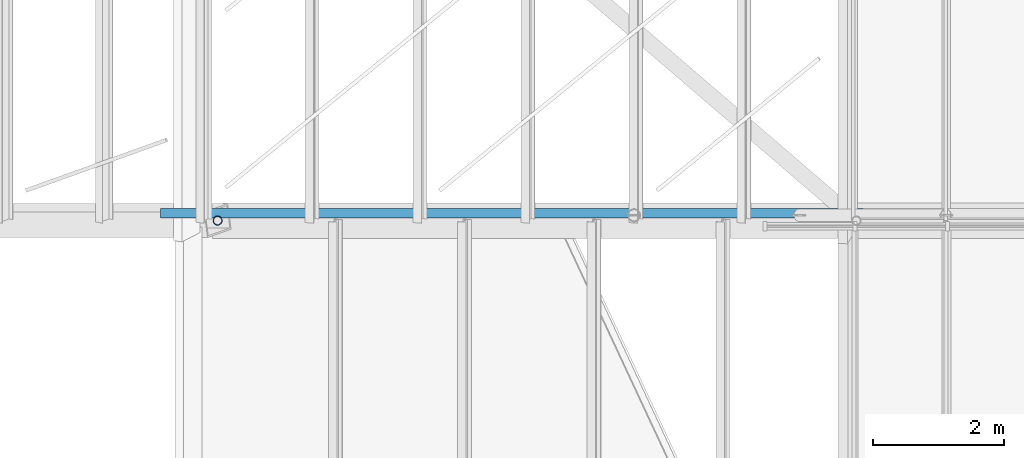
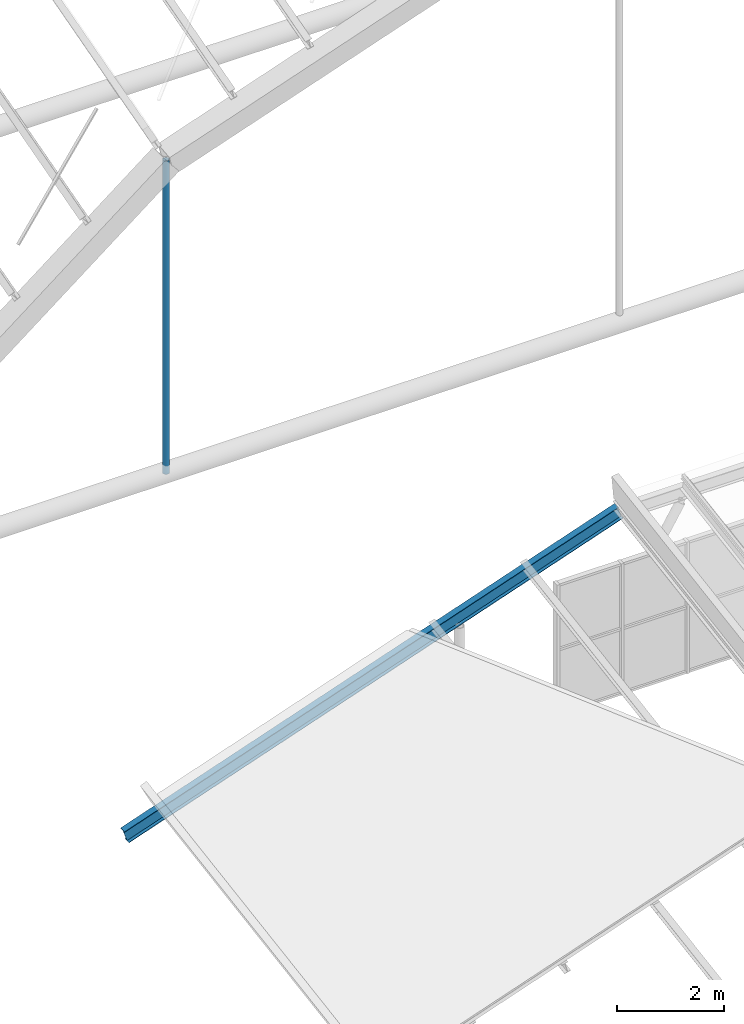
# One storey, part 15 of 126: 1 beam, 1 member.
"""IFC4 building model written with IfcOpenShell, lengths in metres."""

import ifcopenshell
import ifcopenshell.guid

model = None  # the IFC model being written
_history = None  # IfcOwnerHistory: only IFC2X3 demands one
_inside = {}  # id of a spatial element -> (the spatial element, [elements in it])
_under = {}  # id of a project, library or spatial element -> (it, [spatial elements below it])
_declared = {}  # id of a project -> (the project, [libraries it declares])
_typed = {}  # id of a type object -> (the type object, [elements of that type])
_made_of = {}  # id of a material, layer set ... -> (it, [elements and type objects made of it])


def new_model(schema):
    """Start an empty IFC model of exactly this schema.

    Asked for "IFC4X3", IfcOpenShell would pick the latest addendum, in which some entities
    have other attributes; the version numbers below select the first issue.
    IFC2X3 requires an IfcOwnerHistory on every rooted entity: one is made here for all.
    """
    global model, _history
    if schema == "IFC4X3":
        model = ifcopenshell.file(schema_version=(4, 3, 0, 0))
    else:
        model = ifcopenshell.file(schema=schema)
    _inside.clear()
    _under.clear()
    _declared.clear()
    _typed.clear()
    _made_of.clear()
    _history = None
    if model.schema == "IFC2X3":
        org = make("IfcOrganization", Name="unknown")
        user = make(
            "IfcPersonAndOrganization",
            ThePerson=make("IfcPerson", FamilyName="unknown"),
            TheOrganization=org,
        )
        app = make(
            "IfcApplication",
            ApplicationDeveloper=org,
            Version="unknown",
            ApplicationFullName="unknown",
            ApplicationIdentifier="unknown",
        )
        _history = make(
            "IfcOwnerHistory",
            OwningUser=user,
            OwningApplication=app,
            ChangeAction="ADDED",
            CreationDate=0,
        )
    return model


def make(cls, **values):
    """One entity of the class cls with the attributes given. An attribute that is None is left unset."""
    return model.create_entity(
        cls, **{name: value for name, value in values.items() if value is not None}
    )


def rooted(cls, **values):
    """An entity with a GlobalId (a new one), such as an element, a storey or a relation."""
    return make(cls, GlobalId=ifcopenshell.guid.new(), OwnerHistory=_history, **values)


def si_unit(unit_type, name, prefix=None):
    """IfcSIUnit, for example si_unit("LENGTHUNIT", "METRE", prefix="MILLI")."""
    return make("IfcSIUnit", UnitType=unit_type, Prefix=prefix, Name=name)


def assignment(units):
    """IfcUnitAssignment: the units of a project."""
    return None if units is None else make("IfcUnitAssignment", Units=units)


def point(xyz):
    """IfcCartesianPoint."""
    return None if xyz is None else make("IfcCartesianPoint", Coordinates=xyz)


def direction(xyz):
    """IfcDirection."""
    return None if xyz is None else make("IfcDirection", DirectionRatios=xyz)


def frame(location, z_axis=None, x_axis=None):
    """IfcAxis2Placement3D, a coordinate frame: its origin and axes. An axis left out is left unset."""
    return make(
        "IfcAxis2Placement3D",
        Location=point(location),
        Axis=direction(z_axis),
        RefDirection=direction(x_axis),
    )


def frame_2d(location, x_axis=None):
    """IfcAxis2Placement2D, a coordinate frame in the plane: its origin and x axis."""
    return make(
        "IfcAxis2Placement2D", Location=point(location), RefDirection=direction(x_axis)
    )


def origin():
    """The frame at (0, 0, 0) with its axes left unset."""
    return frame((0.0, 0.0, 0.0))


def origin_2d():
    """The frame at (0, 0) in the plane with its x axis left unset."""
    return frame_2d((0.0, 0.0))


def place(relative_to, where):
    """IfcLocalPlacement: puts the frame where relative to a parent placement (None: the world)."""
    return make(
        "IfcLocalPlacement", PlacementRelTo=relative_to, RelativePlacement=where
    )


def context(
    kind, dimensions, precision=None, world=None, true_north=None, identifier=None
):
    """IfcGeometricRepresentationContext, for example the 3D "Model" context."""
    return make(
        "IfcGeometricRepresentationContext",
        ContextIdentifier=identifier,
        ContextType=kind,
        CoordinateSpaceDimension=dimensions,
        Precision=precision,
        WorldCoordinateSystem=world,
        TrueNorth=true_north,
    )


def subcontext(parent, identifier, kind, view, scale=None):
    """IfcGeometricRepresentationSubContext, for example "Body" below "Model"."""
    return make(
        "IfcGeometricRepresentationSubContext",
        ContextIdentifier=identifier,
        ContextType=kind,
        ParentContext=parent,
        TargetScale=scale,
        TargetView=view,
    )


def project(units=None, contexts=None):
    """IfcProject with its units and contexts."""
    return rooted(
        "IfcProject",
        Name="project",
        RepresentationContexts=contexts,
        UnitsInContext=assignment(units),
    )


def spatial(cls, under=None, at=None, **own):
    """A site, building, storey or space (cls), placed at a placement, below another one or the project."""
    s = rooted(cls, ObjectPlacement=at, **own)
    if under is not None:
        _under.setdefault(under.id(), (under, []))[1].append(s)
    return s


def profile(cls, at=None, kind="AREA", **sizes):
    """A parametric profile (cls). Its sizes go by their IFC names, for example OverallWidth=200.0."""
    return make(cls, ProfileType=kind, Position=at, **sizes)


def hollow_circle(**sizes):
    """IfcCircleHollowProfileDef."""
    return profile("IfcCircleHollowProfileDef", **sizes)


def i_section(**sizes):
    """IfcIShapeProfileDef."""
    return profile("IfcIShapeProfileDef", **sizes)


def extrude(swept, where, along, depth):
    """IfcExtrudedAreaSolid: the profile swept, set in the frame where, extruded along a direction by depth."""
    return make(
        "IfcExtrudedAreaSolid",
        SweptArea=swept,
        Position=where,
        ExtrudedDirection=direction(along),
        Depth=depth,
    )


def shape(context_of_items, identifier, shape_type, items):
    """IfcShapeRepresentation: the items that make up one representation, for example the "Body"."""
    return make(
        "IfcShapeRepresentation",
        ContextOfItems=context_of_items,
        RepresentationIdentifier=identifier,
        RepresentationType=shape_type,
        Items=items,
    )


def material(Name=None, Category=None):
    """IfcMaterial."""
    return make("IfcMaterial", Name=Name, Category=Category)


def material_profile(
    of_material, cross_section, Name=None, Category=None, Priority=None
):
    """IfcMaterialProfile: a cross section and its material."""
    return make(
        "IfcMaterialProfile",
        Name=Name,
        Material=of_material,
        Profile=cross_section,
        Priority=Priority,
        Category=Category,
    )


def profile_set(profiles, Name=None, composite=None):
    """IfcMaterialProfileSet."""
    return make(
        "IfcMaterialProfileSet",
        Name=Name,
        MaterialProfiles=profiles,
        CompositeProfile=composite,
    )


def made_of(thing, what):
    """Note that an element or type object is made of a material, layer set ...; save() writes the relation."""
    if what is not None:
        _made_of.setdefault(what.id(), (what, []))[1].append(thing)
    return thing


def type_object(cls, material=None, **own):
    """A type object (cls), such as IfcWallType, which elements share."""
    return made_of(rooted(cls, **own), material)


def element(
    cls,
    number,
    at=None,
    inside=None,
    cuts=None,
    type_object=None,
    material=None,
    context=None,
    identifier="Body",
    shape_type=None,
    held_by="IfcProductDefinitionShape",
    body=None,
    shapes=None,
    **own,
):
    """One element of the class cls, such as IfcWall. Its Tag is "e" and its number.

    at: its placement. inside: the storey or other place that contains it. cuts: it is an
    opening in that element (IfcRelVoidsElement). A single representation is given by context,
    identifier, shape_type and body (its items); several are given by shapes. held_by: the class
    of the entity that holds the representations. save() writes the other relations.
    """
    e = rooted(cls, Tag="e%d" % number, ObjectPlacement=at, **own)
    if body is not None:
        shapes = [shape(context, identifier, shape_type, body)]
    if shapes is not None:
        e.Representation = make(held_by, Representations=shapes)
    if inside is not None:
        _inside.setdefault(inside.id(), (inside, []))[1].append(e)
    if cuts is not None:
        rooted(
            "IfcRelVoidsElement", RelatingBuildingElement=cuts, RelatedOpeningElement=e
        )
    if type_object is not None:
        _typed.setdefault(type_object.id(), (type_object, []))[1].append(e)
    return made_of(e, material)


def aggregate(whole, parts):
    """IfcRelAggregates: a whole, such as a stair, and the parts it consists of."""
    return rooted("IfcRelAggregates", RelatingObject=whole, RelatedObjects=parts)


def save(model, path):
    """Write the relations noted so far, then the file.

    IfcRelAggregates (storeys below a building ...), IfcRelContainedInSpatialStructure (elements
    in a storey), IfcRelDefinesByType, IfcRelAssociatesMaterial and IfcRelDeclares: one each for
    every whole, place, type object, material and project.
    """
    for whole, parts in _under.values():
        aggregate(whole, parts)
    for where, things in _inside.values():
        rooted(
            "IfcRelContainedInSpatialStructure",
            RelatedElements=things,
            RelatingStructure=where,
        )
    for kind, things in _typed.values():
        rooted("IfcRelDefinesByType", RelatedObjects=things, RelatingType=kind)
    for what, things in _made_of.values():
        rooted("IfcRelAssociatesMaterial", RelatedObjects=things, RelatingMaterial=what)
    for by, libraries in _declared.values():
        rooted("IfcRelDeclares", RelatingContext=by, RelatedDefinitions=libraries)
    model.write(path)


model = new_model("IFC4")

# Units and contexts
model_context = context("Model", 3, precision=1e-05, world=origin(), true_north=direction((0.0, 1.0)))
body_context = subcontext(model_context, "Body", "Model", "MODEL_VIEW")
ifc_project = project(units=[si_unit("LENGTHUNIT", "METRE"), si_unit("AREAUNIT", "SQUARE_METRE"), si_unit("VOLUMEUNIT", "CUBIC_METRE"), si_unit("PLANEANGLEUNIT", "RADIAN"), si_unit("MASSUNIT", "GRAM", prefix="KILO")], contexts=[model_context])

# Site, building, storey
site_placement = place(None, origin())
site = spatial("IfcSite", under=ifc_project, at=site_placement, CompositionType="ELEMENT")
building_placement = place(site_placement, origin())
building = spatial("IfcBuilding", under=site, at=building_placement, Name="Sava Quay Ferry Terminal", CompositionType="ELEMENT")
storey_placement = place(building_placement, frame((0.0, 0.0, 15.0)))
storey = spatial("IfcBuildingStorey", under=building, at=storey_placement, Name="L03", CompositionType="ELEMENT", Elevation=15.0)

# Beam
ifc_material_1 = material(Name="Steel S355", Category="steel")
ifc_material_profile_1 = material_profile(ifc_material_1, i_section(OverallWidth=0.14990234375, OverallDepth=0.300048828125, WebThickness=0.007080078125, FlangeThickness=0.0107421875, at=origin_2d()), Name="IPE 300")
ifc_profile_set_1 = profile_set([ifc_material_profile_1], Name="Steel S355")
beam_type = type_object("IfcBeamType", Name="Gable abutment beam IPE 300", PredefinedType="BEAM", material=ifc_profile_set_1)
beam_placement = place(storey_placement, frame((50.306640625, 50.512451171875, 0.34326171875), z_axis=(0.945519107435, 0.0, 0.325566609891), x_axis=(0.0, 1.0, 0.0)))
element("IfcBeam", 1, at=beam_placement, inside=storey, type_object=beam_type, Name="Arrivals hall gable abutment beam west", PredefinedType="BEAM", context=body_context, shape_type="SweptSolid", body=[
    extrude(i_section(OverallWidth=0.14990234375, OverallDepth=0.300048828125, WebThickness=0.007080078125, FlangeThickness=0.0107421875, at=origin_2d()), origin(), (0.0, 0.0, 1.0), 11.26708984375),
])

# Member
ifc_material_2 = material(Name="Steel S355", Category="steel")
ifc_material_profile_2 = material_profile(ifc_material_2, hollow_circle(Radius=0.06982421875, WallThickness=0.008056640625, at=origin_2d()), Name="CHS 139.7 x 8.0")
ifc_profile_set_2 = profile_set([ifc_material_profile_2], Name="Steel S355")
member_type = type_object("IfcMemberType", Name="Tie hanger CHS 139.7x8", PredefinedType="USERDEFINED", material=ifc_profile_set_2)
member_placement = place(storey_placement, frame((51.1298828125, 50.39990234375, 8.39990234375), z_axis=(0.0, 0.0, 1.0), x_axis=(1.0, 0.0, 0.0)))
element("IfcMember", 2, at=member_placement, inside=storey, type_object=member_type, Name="Departure hall tie hanger R0 V1", ObjectType="TIE HANGER", PredefinedType="USERDEFINED", context=body_context, shape_type="SweptSolid", body=[
    extrude(hollow_circle(Radius=0.06982421875, WallThickness=0.008056640625, at=origin_2d()), origin(), (0.0, 0.0, 1.0), 7.13330078125),
])

save(model, "model.ifc")
